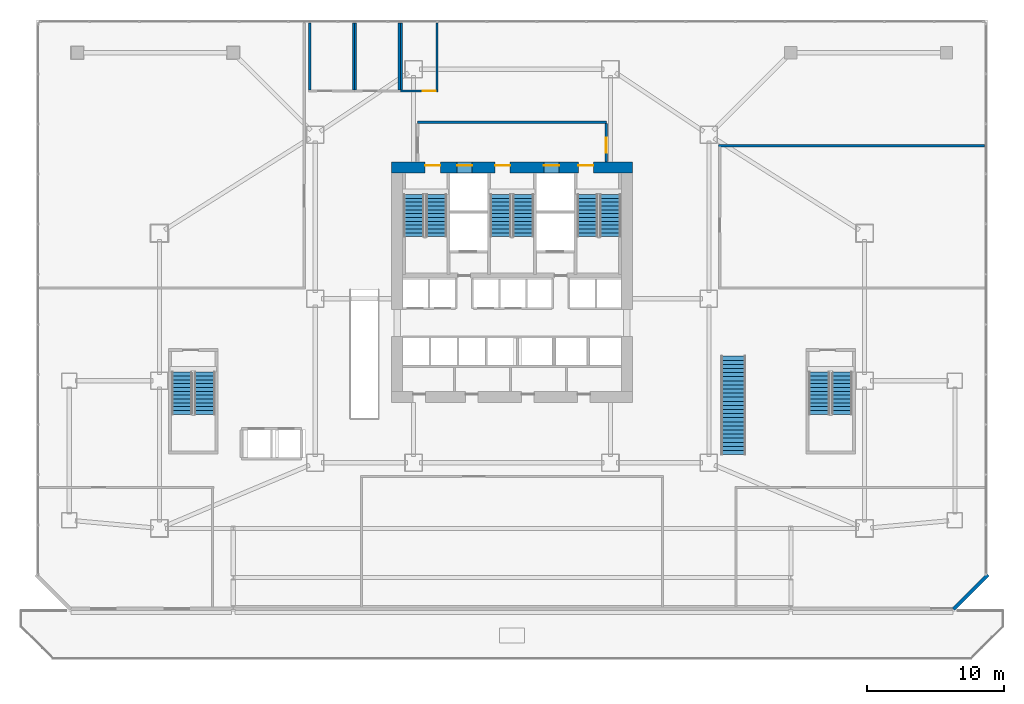
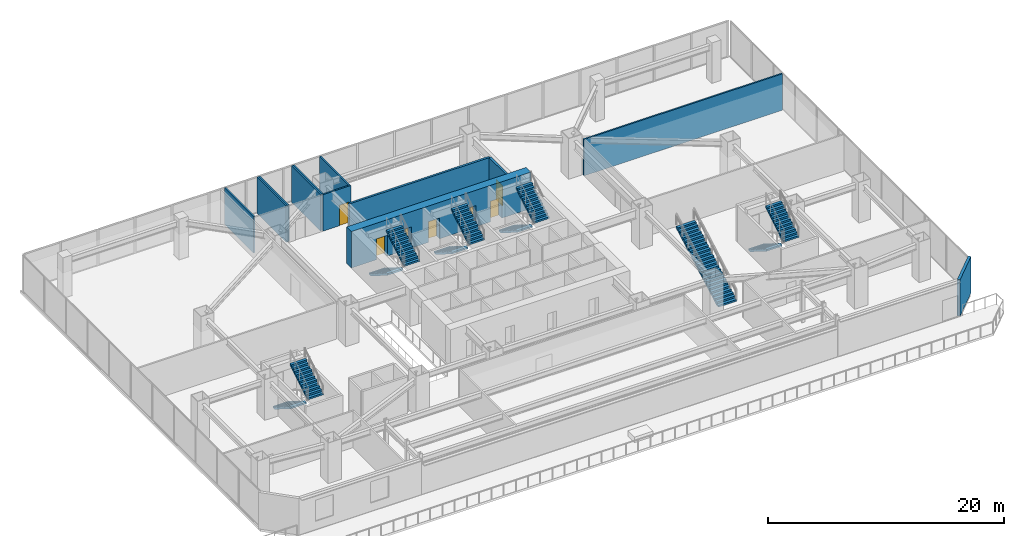
# One storey, part 25 of 32: 12 walls, 11 stair flights, 7 doors, 7 openings, 6 elements without a shape of their own.
"""IFC4 building model written with IfcOpenShell, lengths in metres."""

from ifc_helpers import new_model, si_unit, direction, frame, frame_2d, origin, place, context, subcontext, project, spatial, polyline, rectangle, outline, extrude, material, layer, layer_set, type_object, element, fill, aggregate, save


model = new_model("IFC4")

# Units and contexts
model_context = context("Model", 3, precision=1e-05, world=origin(), true_north=direction((0.0, 1.0)))
body_context = subcontext(model_context, "Body", "Model", "MODEL_VIEW")
ifc_project = project(units=[si_unit("LENGTHUNIT", "METRE"), si_unit("AREAUNIT", "SQUARE_METRE"), si_unit("VOLUMEUNIT", "CUBIC_METRE"), si_unit("PLANEANGLEUNIT", "RADIAN"), si_unit("MASSUNIT", "GRAM", prefix="KILO")], contexts=[model_context])

# Site, building, storey
site_placement = place(None, origin())
site = spatial("IfcSite", under=ifc_project, at=site_placement, CompositionType="ELEMENT")
building_placement = place(site_placement, origin())
building = spatial("IfcBuilding", under=site, at=building_placement, Name="Haolan Belvedere Tower", CompositionType="ELEMENT")
storey_placement = place(building_placement, frame((0.0, 0.0, 15.60009765625)))
storey = spatial("IfcBuildingStorey", under=building, at=storey_placement, Name="L03", CompositionType="ELEMENT", Elevation=15.60009765625)

# Wall, openings, doors
ifc_material_1 = material(Name="Concrete C70/85", Category="concrete")
ifc_layer_1 = layer(ifc_material_1, 0.800048828125, Name="Concrete C70/85")
ifc_layer_set_1 = layer_set([ifc_layer_1], Name="Concrete C70/85")
wall_type_1 = type_object("IfcWallType", Name="WL-CORE-800", PredefinedType="SHEAR", material=ifc_layer_set_1)
wall_1_placement = place(storey_placement, frame((29.60009765625, 43.199951171875, 0.0), z_axis=(0.0, 0.0, 1.0), x_axis=(1.0, 0.0, 0.0)))
wall_1 = element("IfcWall", 1, at=wall_1_placement, inside=storey, type_object=wall_type_1, Name="L03 central core north shear wall", PredefinedType="SHEAR", context=body_context, shape_type="SweptSolid", body=[
    extrude(rectangle(XDim=17.599853515625, YDim=0.800048828125, at=frame_2d((8.7998046875, 0.0))), origin(), (0.0, 0.0, 1.0), 3.77978515625),
])
opening_1_placement = place(wall_1_placement, frame((2.449951171875, 0.0, 0.0)))
opening_1 = element("IfcOpeningElement", 2, at=opening_1_placement, cuts=wall_1, Name="Opening FD-03", PredefinedType="OPENING", context=body_context, shape_type="SweptSolid", body=[
    extrude(rectangle(XDim=1.10009765625, YDim=2.14990234375, at=frame_2d((0.550048828125, 1.074951171875))), frame((0.0, 0.409912109375, 0.0), z_axis=(0.0, -1.0, 0.0), x_axis=(1.0, 0.0, 0.0)), (0.0, 0.0, 1.0), 0.820068359375),
])
opening_2_placement = place(wall_1_placement, frame((7.56005859375, 0.0, 0.0)))
opening_2 = element("IfcOpeningElement", 3, at=opening_2_placement, cuts=wall_1, Name="Opening FD-03", PredefinedType="OPENING", context=body_context, shape_type="SweptSolid", body=[
    extrude(rectangle(XDim=1.10009765625, YDim=2.14990234375, at=frame_2d((0.550048828125, 1.074951171875))), frame((0.0, 0.409912109375, 0.0), z_axis=(0.0, -1.0, 0.0), x_axis=(1.0, 0.0, 0.0)), (0.0, 0.0, 1.0), 0.820068359375),
])
opening_3_placement = place(wall_1_placement, frame((13.64990234375, 0.0, 0.0)))
opening_3 = element("IfcOpeningElement", 4, at=opening_3_placement, cuts=wall_1, Name="Opening FD-03", PredefinedType="OPENING", context=body_context, shape_type="SweptSolid", body=[
    extrude(rectangle(XDim=1.10009765625, YDim=2.14990234375, at=frame_2d((0.550048828125, 1.074951171875))), frame((0.0, 0.409912109375, 0.0), z_axis=(0.0, -1.0, 0.0), x_axis=(1.0, 0.0, 0.0)), (0.0, 0.0, 1.0), 0.820068359375),
])
opening_4_placement = place(wall_1_placement, frame((4.780029296875, 0.0, 0.0)))
opening_4 = element("IfcOpeningElement", 5, at=opening_4_placement, cuts=wall_1, Name="Opening LD-01", PredefinedType="OPENING", context=body_context, shape_type="SweptSolid", body=[
    extrude(rectangle(XDim=1.10009765625, YDim=2.199951171875, at=frame_2d((0.550048828125, 1.10009765625))), frame((0.0, 0.409912109375, 0.0), z_axis=(0.0, -1.0, 0.0), x_axis=(1.0, 0.0, 0.0)), (0.0, 0.0, 1.0), 0.820068359375),
])
opening_5_placement = place(wall_1_placement, frame((11.139892578125, 0.0, 0.0)))
opening_5 = element("IfcOpeningElement", 6, at=opening_5_placement, cuts=wall_1, Name="Opening LD-01", PredefinedType="OPENING", context=body_context, shape_type="SweptSolid", body=[
    extrude(rectangle(XDim=1.10009765625, YDim=2.199951171875, at=frame_2d((0.550048828125, 1.10009765625))), frame((0.0, 0.409912109375, 0.0), z_axis=(0.0, -1.0, 0.0), x_axis=(1.0, 0.0, 0.0)), (0.0, 0.0, 1.0), 0.820068359375),
])
ifc_material_2 = material(Name="Galvanised fire-rated steel", Category="steel")
door_type_1 = type_object("IfcDoorType", Name="DR-FD90-1100", OperationType="NOTDEFINED", PredefinedType="DOOR", material=ifc_material_2)
door_1_placement = place(opening_1_placement, origin())
door_1 = element("IfcDoor", 7, at=door_1_placement, inside=storey, type_object=door_type_1, Name="L03 door CD-L03-ST1", OperationType="SINGLE_SWING_LEFT", OverallHeight=2.14990234375, OverallWidth=1.10009765625, PredefinedType="DOOR", context=body_context, shape_type="SweptSolid", body=[
    extrude(rectangle(XDim=1.10009765625, YDim=2.14990234375, at=frame_2d((0.550048828125, 1.074951171875))), frame((0.0, 0.18505859375, 0.0), z_axis=(0.0, -1.0, 0.0), x_axis=(1.0, 0.0, 0.0)), (0.0, 0.0, 1.0), 0.050048828125),
])
fill(opening_1, door_1)
door_2_placement = place(opening_2_placement, origin())
door_2 = element("IfcDoor", 8, at=door_2_placement, inside=storey, type_object=door_type_1, Name="L03 door CD-L03-ST3", OperationType="SINGLE_SWING_LEFT", OverallHeight=2.14990234375, OverallWidth=1.10009765625, PredefinedType="DOOR", context=body_context, shape_type="SweptSolid", body=[
    extrude(rectangle(XDim=1.10009765625, YDim=2.14990234375, at=frame_2d((0.550048828125, 1.074951171875))), frame((0.0, 0.18505859375, 0.0), z_axis=(0.0, -1.0, 0.0), x_axis=(1.0, 0.0, 0.0)), (0.0, 0.0, 1.0), 0.050048828125),
])
fill(opening_2, door_2)
door_3_placement = place(opening_3_placement, origin())
door_3 = element("IfcDoor", 9, at=door_3_placement, inside=storey, type_object=door_type_1, Name="L03 door CD-L03-ST2", OperationType="SINGLE_SWING_RIGHT", OverallHeight=2.14990234375, OverallWidth=1.10009765625, PredefinedType="DOOR", context=body_context, shape_type="SweptSolid", body=[
    extrude(rectangle(XDim=1.10009765625, YDim=2.14990234375, at=frame_2d((0.550048828125, 1.074951171875))), frame((0.0, 0.18505859375, 0.0), z_axis=(0.0, -1.0, 0.0), x_axis=(1.0, 0.0, 0.0)), (0.0, 0.0, 1.0), 0.050048828125),
])
fill(opening_3, door_3)
ifc_material_3 = material(Name="Brushed champagne stainless steel 316L", Category="steel")
door_type_2 = type_object("IfcDoorType", Name="DR-LIFT-1100", OperationType="SLIDING_TO_LEFT", PredefinedType="DOOR", material=ifc_material_3)
door_4_placement = place(opening_4_placement, origin())
door_4 = element("IfcDoor", 10, at=door_4_placement, inside=storey, type_object=door_type_2, Name="L03 door LD-L03-FF1", OperationType="SLIDING_TO_LEFT", OverallHeight=2.199951171875, OverallWidth=1.10009765625, PredefinedType="DOOR", context=body_context, shape_type="SweptSolid", body=[
    extrude(rectangle(XDim=1.10009765625, YDim=2.199951171875, at=frame_2d((0.550048828125, 1.10009765625))), frame((0.0, 0.18505859375, 0.0), z_axis=(0.0, -1.0, 0.0), x_axis=(1.0, 0.0, 0.0)), (0.0, 0.0, 1.0), 0.050048828125),
])
fill(opening_4, door_4)
door_5_placement = place(opening_5_placement, origin())
door_5 = element("IfcDoor", 11, at=door_5_placement, inside=storey, type_object=door_type_2, Name="L03 door LD-L03-FF2", OperationType="SLIDING_TO_LEFT", OverallHeight=2.199951171875, OverallWidth=1.10009765625, PredefinedType="DOOR", context=body_context, shape_type="SweptSolid", body=[
    extrude(rectangle(XDim=1.10009765625, YDim=2.199951171875, at=frame_2d((0.550048828125, 1.10009765625))), frame((0.0, 0.18505859375, 0.0), z_axis=(0.0, -1.0, 0.0), x_axis=(1.0, 0.0, 0.0)), (0.0, 0.0, 1.0), 0.050048828125),
])
fill(opening_5, door_5)

# Walls
ifc_material_4 = material(Name="Precast concrete C40/50", Category="concrete")
ifc_layer_2 = layer(ifc_material_4, 0.260009765625, Name="Precast concrete C40/50")
ifc_layer_set_2 = layer_set([ifc_layer_2], Name="Precast concrete C40/50")
wall_type_2 = type_object("IfcWallType", Name="WL-EXT-260", PredefinedType="SOLIDWALL", material=ifc_layer_set_2)
wall_2_placement = place(storey_placement, frame((70.707275390625, 10.89111328125, 0.0), z_axis=(0.0, 0.0, 1.0), x_axis=(0.707106781187, 0.707106781187, 0.0)))
element("IfcWall", 12, at=wall_2_placement, inside=storey, type_object=wall_type_2, Name="L03 pale-metal exterior spandrel wall 1.1", PredefinedType="SOLIDWALL", context=body_context, shape_type="SweptSolid", body=[
    extrude(rectangle(XDim=3.566162109375, YDim=0.260009765625, at=frame_2d((1.783203125, 0.0))), origin(), (0.0, 0.0, 1.0), 3.77978515625),
])
ifc_material_5 = material(Name="Concrete C40/50", Category="concrete")
ifc_layer_3 = layer(ifc_material_5, 0.199951171875, Name="Concrete C40/50")
ifc_layer_set_3 = layer_set([ifc_layer_3], Name="Concrete C40/50")
wall_type_3 = type_object("IfcWallType", Name="WL-FIRE-200", PredefinedType="SOLIDWALL", material=ifc_layer_set_3)
wall_3_placement = place(storey_placement, frame((31.5, 46.52001953125, 0.0), z_axis=(0.0, 0.0, 1.0), x_axis=(1.0, 0.0, 0.0)))
element("IfcWall", 13, at=wall_3_placement, inside=storey, type_object=wall_type_3, Name="L03 interior partition IW-L03-FFL-N", PredefinedType="SOLIDWALL", context=body_context, shape_type="SweptSolid", body=[
    extrude(rectangle(XDim=13.800048828125, YDim=0.199951171875, at=frame_2d((6.89990234375, 0.0))), origin(), (0.0, 0.0, 1.0), 3.77978515625),
])

# Wall, opening, door
wall_4_placement = place(storey_placement, frame((45.300048828125, 43.60009765625, 0.0), z_axis=(0.0, 0.0, 1.0), x_axis=(0.0, 1.0, 0.0)))
wall_4 = element("IfcWall", 14, at=wall_4_placement, inside=storey, type_object=wall_type_3, Name="L03 interior partition IW-L03-FFL-E", PredefinedType="SOLIDWALL", context=body_context, shape_type="SweptSolid", body=[
    extrude(rectangle(XDim=2.8349609375, YDim=0.199951171875, at=frame_2d((1.41748046875, 0.0))), origin(), (0.0, 0.0, 1.0), 3.77978515625),
])
opening_6_placement = place(wall_4_placement, frame((0.699951171875, 0.0, 0.0)))
opening_6 = element("IfcOpeningElement", 15, at=opening_6_placement, cuts=wall_4, Name="Opening FD-03", PredefinedType="OPENING", context=body_context, shape_type="SweptSolid", body=[
    extrude(rectangle(XDim=1.10009765625, YDim=2.14990234375, at=frame_2d((0.550048828125, 1.074951171875))), frame((0.0, 0.10986328125, 0.0), z_axis=(0.0, -1.0, 0.0), x_axis=(1.0, 0.0, 0.0)), (0.0, 0.0, 1.0), 0.219970703125),
])
door_6_placement = place(opening_6_placement, origin())
door_6 = element("IfcDoor", 16, at=door_6_placement, inside=storey, type_object=door_type_1, Name="L03 door ID-L03-FFL-DE", OperationType="SINGLE_SWING_RIGHT", OverallHeight=2.14990234375, OverallWidth=1.10009765625, PredefinedType="DOOR", context=body_context, shape_type="SweptSolid", body=[
    extrude(rectangle(XDim=1.10009765625, YDim=2.14990234375, at=frame_2d((0.550048828125, 1.074951171875))), frame((0.0, 0.02490234375, 0.0), z_axis=(0.0, -1.0, 0.0), x_axis=(1.0, 0.0, 0.0)), (0.0, 0.0, 1.0), 0.050048828125),
])
fill(opening_6, door_6)

# Walls
ifc_material_6 = material(Name="Double gypsum acoustic stud partition", Category="masonry")
ifc_layer_4 = layer(ifc_material_6, 0.14990234375, Name="Double gypsum acoustic stud partition")
ifc_layer_set_4 = layer_set([ifc_layer_4], Name="Double gypsum acoustic stud partition")
wall_type_4 = type_object("IfcWallType", Name="WL-PART-150", PredefinedType="PARTITIONING", material=ifc_layer_set_4)
for number, where, z_axis, x_axis, name in (
    (17, (23.60009765625, 48.860107421875, 0.0), (0.0, 0.0, 1.0), (0.0, 1.0, 0.0), "L03 interior partition IW-L03-WCM-W"),
    (18, (26.800048828125, 48.860107421875, 0.0), (0.0, 0.0, 1.0), (0.0, 1.0, 0.0), "L03 interior partition IW-L03-WCM-E"),
    (19, (26.949951171875, 48.860107421875, 0.0), (0.0, 0.0, 1.0), (0.0, 1.0, 0.0), "L03 interior partition IW-L03-WCF-W"),
    (20, (30.14990234375, 48.860107421875, 0.0), (0.0, 0.0, 1.0), (0.0, 1.0, 0.0), "L03 interior partition IW-L03-WCF-E"),
):
    element("IfcWall", number, at=place(storey_placement, frame(where, z_axis=z_axis, x_axis=x_axis)), inside=storey, type_object=wall_type_4, Name=name, PredefinedType="PARTITIONING", context=body_context, shape_type="SweptSolid", body=[
        extrude(rectangle(XDim=4.927978515625, YDim=0.14990234375, at=frame_2d((2.4638671875, 0.0))), origin(), (0.0, 0.0, 1.0), 3.77978515625),
    ])

# Wall, opening, door
wall_5_placement = place(storey_placement, frame((30.23193359375, 48.800048828125, 0.0), z_axis=(0.0, 0.0, 1.0), x_axis=(1.0, 0.0, 0.0)))
wall_5 = element("IfcWall", 21, at=wall_5_placement, inside=storey, type_object=wall_type_4, Name="L03 interior partition IW-L03-WCA-S", PredefinedType="PARTITIONING", context=body_context, shape_type="SweptSolid", body=[
    extrude(rectangle(XDim=2.748046875, YDim=0.14990234375, at=frame_2d((1.3740234375, 0.0))), origin(), (0.0, 0.0, 1.0), 3.77978515625),
])
opening_7_placement = place(wall_5_placement, frame((1.637939453125, 0.0, 0.0)))
opening_7 = element("IfcOpeningElement", 22, at=opening_7_placement, cuts=wall_5, Name="Opening ID-03", PredefinedType="OPENING", context=body_context, shape_type="SweptSolid", body=[
    extrude(rectangle(XDim=0.949951171875, YDim=2.1201171875, at=frame_2d((0.47509765625, 1.06005859375))), frame((0.0, 0.0849609375, 0.0), z_axis=(0.0, -1.0, 0.0), x_axis=(1.0, 0.0, 0.0)), (0.0, 0.0, 1.0), 0.169921875),
])
ifc_material_7 = material(Name="Painted solid-core timber", Category="wood")
door_type_3 = type_object("IfcDoorType", Name="DR-INT-950", OperationType="NOTDEFINED", PredefinedType="DOOR", material=ifc_material_7)
door_7_placement = place(opening_7_placement, origin())
door_7 = element("IfcDoor", 23, at=door_7_placement, inside=storey, type_object=door_type_3, Name="L03 door ID-L03-WCA", OperationType="SINGLE_SWING_RIGHT", OverallHeight=2.1201171875, OverallWidth=0.949951171875, PredefinedType="DOOR", context=body_context, shape_type="SweptSolid", body=[
    extrude(rectangle(XDim=0.949951171875, YDim=2.1201171875, at=frame_2d((0.47509765625, 1.06005859375))), frame((0.0, 0.02490234375, 0.0), z_axis=(0.0, -1.0, 0.0), x_axis=(1.0, 0.0, 0.0)), (0.0, 0.0, 1.0), 0.050048828125),
])
fill(opening_7, door_7)

# Walls
for number, where, z_axis, x_axis, name in (
    (24, (30.300048828125, 48.860107421875, 0.0), (0.0, 0.0, 1.0), (0.0, 1.0, 0.0), "L03 interior partition IW-L03-WCA-W"),
    (25, (32.89990234375, 48.860107421875, 0.0), (0.0, 0.0, 1.0), (0.0, 1.0, 0.0), "L03 interior partition IW-L03-WCA-E"),
):
    element("IfcWall", number, at=place(storey_placement, frame(where, z_axis=z_axis, x_axis=x_axis)), inside=storey, type_object=wall_type_4, Name=name, PredefinedType="PARTITIONING", context=body_context, shape_type="SweptSolid", body=[
        extrude(rectangle(XDim=4.927978515625, YDim=0.14990234375, at=frame_2d((2.4638671875, 0.0))), origin(), (0.0, 0.0, 1.0), 3.77978515625),
    ])
wall_6_placement = place(storey_placement, frame((53.52001953125, 44.800048828125, 0.0), z_axis=(0.0, 0.0, 1.0), x_axis=(1.0, 0.0, 0.0)))
element("IfcWall", 26, at=wall_6_placement, inside=storey, type_object=wall_type_4, Name="L03 interior partition IW-L03-BRD1-N", PredefinedType="PARTITIONING", context=body_context, shape_type="SweptSolid", body=[
    extrude(rectangle(XDim=19.468017578125, YDim=0.14990234375, at=frame_2d((9.73388671875, 0.0))), origin(), (0.0, 0.0, 1.0), 3.77978515625),
])

# Stair, stair flights
stair_type_1 = type_object("IfcStairType", Name="STR-DL-24R-175", PredefinedType="HALF_TURN_STAIR", material=ifc_material_5)
stair_1_placement = place(storey_placement, origin())
stair_1 = element("IfcStair", 27, at=stair_1_placement, inside=storey, type_object=stair_type_1, Name="L03 Smokeproof Core Exit Stair ST1", PredefinedType="HALF_TURN_STAIR")
stair_flight_type_1 = type_object("IfcStairFlightType", Name="SFL-DL-12R-175", PredefinedType="STRAIGHT", material=ifc_material_5)
stair_flight_1_placement = place(storey_placement, frame((31.2099609375, 41.22998046875, 0.0), z_axis=(0.0, 0.0, 1.0), x_axis=(0.0, -1.0, 0.0)))
stair_flight_1 = element("IfcStairFlight", 28, at=stair_flight_1_placement, type_object=stair_flight_type_1, Name="ST1 flight 1", NumberOfRisers=12, NumberOfTreads=11, PredefinedType="STRAIGHT", RiserHeight=0.175, TreadLength=0.28, context=body_context, shape_type="SweptSolid", body=[
    extrude(outline(polyline([(0.0, 0.0), (0.0, 0.175048828125), (0.280029296875, 0.175048828125), (0.280029296875, 0.35009765625), (0.56005859375, 0.35009765625), (0.56005859375, 0.52490234375), (0.840087890625, 0.52490234375), (0.840087890625, 0.699951171875), (1.1201171875, 0.699951171875), (1.1201171875, 0.875), (1.39990234375, 0.875), (1.39990234375, 1.050048828125), (1.679931640625, 1.050048828125), (1.679931640625, 1.22509765625), (1.9599609375, 1.22509765625), (1.9599609375, 1.39990234375), (2.239990234375, 1.39990234375), (2.239990234375, 1.574951171875), (2.52001953125, 1.574951171875), (2.52001953125, 1.75), (2.800048828125, 1.75), (2.800048828125, 1.925048828125), (3.080078125, 1.925048828125), (3.080078125, 2.10009765625), (3.080078125, 1.748291015625), (0.28271484375, 0.0), (0.0, 0.0)])), frame((0.0, 0.760009765625, 0.0), z_axis=(0.0, -1.0, 0.0), x_axis=(1.0, 0.0, 0.0)), (0.0, 0.0, 1.0), 1.52001953125),
])
stair_flight_2_placement = place(storey_placement, frame((32.8701171875, 38.14990234375, 2.099853515625), z_axis=(0.0, 0.0, 1.0), x_axis=(0.0, 1.0, 0.0)))
stair_flight_2 = element("IfcStairFlight", 29, at=stair_flight_2_placement, type_object=stair_flight_type_1, Name="ST1 flight 2", NumberOfRisers=12, NumberOfTreads=11, PredefinedType="STRAIGHT", RiserHeight=0.175, TreadLength=0.28, context=body_context, shape_type="SweptSolid", body=[
    extrude(outline(polyline([(0.0, 0.0), (0.0, 0.175048828125), (0.280029296875, 0.175048828125), (0.280029296875, 0.35009765625), (0.56005859375, 0.35009765625), (0.56005859375, 0.52490234375), (0.840087890625, 0.52490234375), (0.840087890625, 0.699951171875), (1.1201171875, 0.699951171875), (1.1201171875, 0.875), (1.39990234375, 0.875), (1.39990234375, 1.050048828125), (1.679931640625, 1.050048828125), (1.679931640625, 1.22509765625), (1.9599609375, 1.22509765625), (1.9599609375, 1.39990234375), (2.239990234375, 1.39990234375), (2.239990234375, 1.574951171875), (2.52001953125, 1.574951171875), (2.52001953125, 1.75), (2.800048828125, 1.75), (2.800048828125, 1.925048828125), (3.080078125, 1.925048828125), (3.080078125, 2.10009765625), (3.080078125, 1.748291015625), (0.28271484375, 0.0), (0.0, 0.0)])), frame((0.0, 0.760009765625, 0.0), z_axis=(0.0, -1.0, 0.0), x_axis=(1.0, 0.0, 0.0)), (0.0, 0.0, 1.0), 1.52001953125),
])
aggregate(stair_1, [stair_flight_1, stair_flight_2])

stair_2_placement = place(storey_placement, origin())
stair_2 = element("IfcStair", 30, at=stair_2_placement, inside=storey, type_object=stair_type_1, Name="L03 Smokeproof Core Exit Stair ST3", PredefinedType="HALF_TURN_STAIR")
stair_flight_3_placement = place(storey_placement, frame((37.570068359375, 41.22998046875, 0.0), z_axis=(0.0, 0.0, 1.0), x_axis=(0.0, -1.0, 0.0)))
stair_flight_3 = element("IfcStairFlight", 31, at=stair_flight_3_placement, type_object=stair_flight_type_1, Name="ST3 flight 1", NumberOfRisers=12, NumberOfTreads=11, PredefinedType="STRAIGHT", RiserHeight=0.175, TreadLength=0.28, context=body_context, shape_type="SweptSolid", body=[
    extrude(outline(polyline([(0.0, 0.0), (0.0, 0.175048828125), (0.280029296875, 0.175048828125), (0.280029296875, 0.35009765625), (0.56005859375, 0.35009765625), (0.56005859375, 0.52490234375), (0.840087890625, 0.52490234375), (0.840087890625, 0.699951171875), (1.1201171875, 0.699951171875), (1.1201171875, 0.875), (1.39990234375, 0.875), (1.39990234375, 1.050048828125), (1.679931640625, 1.050048828125), (1.679931640625, 1.22509765625), (1.9599609375, 1.22509765625), (1.9599609375, 1.39990234375), (2.239990234375, 1.39990234375), (2.239990234375, 1.574951171875), (2.52001953125, 1.574951171875), (2.52001953125, 1.75), (2.800048828125, 1.75), (2.800048828125, 1.925048828125), (3.080078125, 1.925048828125), (3.080078125, 2.10009765625), (3.080078125, 1.748291015625), (0.28271484375, 0.0), (0.0, 0.0)])), frame((0.0, 0.760009765625, 0.0), z_axis=(0.0, -1.0, 0.0), x_axis=(1.0, 0.0, 0.0)), (0.0, 0.0, 1.0), 1.52001953125),
])
stair_flight_4_placement = place(storey_placement, frame((39.22998046875, 38.14990234375, 2.099853515625), z_axis=(0.0, 0.0, 1.0), x_axis=(0.0, 1.0, 0.0)))
stair_flight_4 = element("IfcStairFlight", 32, at=stair_flight_4_placement, type_object=stair_flight_type_1, Name="ST3 flight 2", NumberOfRisers=12, NumberOfTreads=11, PredefinedType="STRAIGHT", RiserHeight=0.175, TreadLength=0.28, context=body_context, shape_type="SweptSolid", body=[
    extrude(outline(polyline([(0.0, 0.0), (0.0, 0.175048828125), (0.280029296875, 0.175048828125), (0.280029296875, 0.35009765625), (0.56005859375, 0.35009765625), (0.56005859375, 0.52490234375), (0.840087890625, 0.52490234375), (0.840087890625, 0.699951171875), (1.1201171875, 0.699951171875), (1.1201171875, 0.875), (1.39990234375, 0.875), (1.39990234375, 1.050048828125), (1.679931640625, 1.050048828125), (1.679931640625, 1.22509765625), (1.9599609375, 1.22509765625), (1.9599609375, 1.39990234375), (2.239990234375, 1.39990234375), (2.239990234375, 1.574951171875), (2.52001953125, 1.574951171875), (2.52001953125, 1.75), (2.800048828125, 1.75), (2.800048828125, 1.925048828125), (3.080078125, 1.925048828125), (3.080078125, 2.10009765625), (3.080078125, 1.748291015625), (0.28271484375, 0.0), (0.0, 0.0)])), frame((0.0, 0.760009765625, 0.0), z_axis=(0.0, -1.0, 0.0), x_axis=(1.0, 0.0, 0.0)), (0.0, 0.0, 1.0), 1.52001953125),
])
aggregate(stair_2, [stair_flight_3, stair_flight_4])

stair_3_placement = place(storey_placement, origin())
stair_3 = element("IfcStair", 33, at=stair_3_placement, inside=storey, type_object=stair_type_1, Name="L03 Smokeproof Core Exit Stair ST2", PredefinedType="HALF_TURN_STAIR")
stair_flight_5_placement = place(storey_placement, frame((43.929931640625, 41.22998046875, 0.0), z_axis=(0.0, 0.0, 1.0), x_axis=(0.0, -1.0, 0.0)))
stair_flight_5 = element("IfcStairFlight", 34, at=stair_flight_5_placement, type_object=stair_flight_type_1, Name="ST2 flight 1", NumberOfRisers=12, NumberOfTreads=11, PredefinedType="STRAIGHT", RiserHeight=0.175, TreadLength=0.28, context=body_context, shape_type="SweptSolid", body=[
    extrude(outline(polyline([(0.0, 0.0), (0.0, 0.175048828125), (0.280029296875, 0.175048828125), (0.280029296875, 0.35009765625), (0.56005859375, 0.35009765625), (0.56005859375, 0.52490234375), (0.840087890625, 0.52490234375), (0.840087890625, 0.699951171875), (1.1201171875, 0.699951171875), (1.1201171875, 0.875), (1.39990234375, 0.875), (1.39990234375, 1.050048828125), (1.679931640625, 1.050048828125), (1.679931640625, 1.22509765625), (1.9599609375, 1.22509765625), (1.9599609375, 1.39990234375), (2.239990234375, 1.39990234375), (2.239990234375, 1.574951171875), (2.52001953125, 1.574951171875), (2.52001953125, 1.75), (2.800048828125, 1.75), (2.800048828125, 1.925048828125), (3.080078125, 1.925048828125), (3.080078125, 2.10009765625), (3.080078125, 1.748291015625), (0.28271484375, 0.0), (0.0, 0.0)])), frame((0.0, 0.760009765625, 0.0), z_axis=(0.0, -1.0, 0.0), x_axis=(1.0, 0.0, 0.0)), (0.0, 0.0, 1.0), 1.52001953125),
])
stair_flight_6_placement = place(storey_placement, frame((45.590087890625, 38.14990234375, 2.099853515625), z_axis=(0.0, 0.0, 1.0), x_axis=(0.0, 1.0, 0.0)))
stair_flight_6 = element("IfcStairFlight", 35, at=stair_flight_6_placement, type_object=stair_flight_type_1, Name="ST2 flight 2", NumberOfRisers=12, NumberOfTreads=11, PredefinedType="STRAIGHT", RiserHeight=0.175, TreadLength=0.28, context=body_context, shape_type="SweptSolid", body=[
    extrude(outline(polyline([(0.0, 0.0), (0.0, 0.175048828125), (0.280029296875, 0.175048828125), (0.280029296875, 0.35009765625), (0.56005859375, 0.35009765625), (0.56005859375, 0.52490234375), (0.840087890625, 0.52490234375), (0.840087890625, 0.699951171875), (1.1201171875, 0.699951171875), (1.1201171875, 0.875), (1.39990234375, 0.875), (1.39990234375, 1.050048828125), (1.679931640625, 1.050048828125), (1.679931640625, 1.22509765625), (1.9599609375, 1.22509765625), (1.9599609375, 1.39990234375), (2.239990234375, 1.39990234375), (2.239990234375, 1.574951171875), (2.52001953125, 1.574951171875), (2.52001953125, 1.75), (2.800048828125, 1.75), (2.800048828125, 1.925048828125), (3.080078125, 1.925048828125), (3.080078125, 2.10009765625), (3.080078125, 1.748291015625), (0.28271484375, 0.0), (0.0, 0.0)])), frame((0.0, 0.760009765625, 0.0), z_axis=(0.0, -1.0, 0.0), x_axis=(1.0, 0.0, 0.0)), (0.0, 0.0, 1.0), 1.52001953125),
])
aggregate(stair_3, [stair_flight_5, stair_flight_6])

stair_4_placement = place(storey_placement, origin())
stair_4 = element("IfcStair", 36, at=stair_4_placement, inside=storey, type_object=stair_type_1, Name="L03 West Podium Protected Exit Stair ST4", PredefinedType="HALF_TURN_STAIR")
stair_flight_7_placement = place(storey_placement, frame((14.260009765625, 28.22998046875, 0.0), z_axis=(0.0, 0.0, 1.0), x_axis=(0.0, -1.0, 0.0)))
stair_flight_7 = element("IfcStairFlight", 37, at=stair_flight_7_placement, type_object=stair_flight_type_1, Name="ST4 flight 1", NumberOfRisers=12, NumberOfTreads=11, PredefinedType="STRAIGHT", RiserHeight=0.175, TreadLength=0.28, context=body_context, shape_type="SweptSolid", body=[
    extrude(outline(polyline([(0.0, 0.0), (0.0, 0.175048828125), (0.280029296875, 0.175048828125), (0.280029296875, 0.35009765625), (0.56005859375, 0.35009765625), (0.56005859375, 0.52490234375), (0.840087890625, 0.52490234375), (0.840087890625, 0.699951171875), (1.1201171875, 0.699951171875), (1.1201171875, 0.875), (1.39990234375, 0.875), (1.39990234375, 1.050048828125), (1.679931640625, 1.050048828125), (1.679931640625, 1.22509765625), (1.9599609375, 1.22509765625), (1.9599609375, 1.39990234375), (2.239990234375, 1.39990234375), (2.239990234375, 1.574951171875), (2.52001953125, 1.574951171875), (2.52001953125, 1.75), (2.800048828125, 1.75), (2.800048828125, 1.925048828125), (3.080078125, 1.925048828125), (3.080078125, 2.10009765625), (3.080078125, 1.748291015625), (0.28271484375, 0.0), (0.0, 0.0)])), frame((0.0, 0.760009765625, 0.0), z_axis=(0.0, -1.0, 0.0), x_axis=(1.0, 0.0, 0.0)), (0.0, 0.0, 1.0), 1.52001953125),
])
stair_flight_8_placement = place(storey_placement, frame((15.919921875, 25.14990234375, 2.099853515625), z_axis=(0.0, 0.0, 1.0), x_axis=(0.0, 1.0, 0.0)))
stair_flight_8 = element("IfcStairFlight", 38, at=stair_flight_8_placement, type_object=stair_flight_type_1, Name="ST4 flight 2", NumberOfRisers=12, NumberOfTreads=11, PredefinedType="STRAIGHT", RiserHeight=0.175, TreadLength=0.28, context=body_context, shape_type="SweptSolid", body=[
    extrude(outline(polyline([(0.0, 0.0), (0.0, 0.175048828125), (0.280029296875, 0.175048828125), (0.280029296875, 0.35009765625), (0.56005859375, 0.35009765625), (0.56005859375, 0.52490234375), (0.840087890625, 0.52490234375), (0.840087890625, 0.699951171875), (1.1201171875, 0.699951171875), (1.1201171875, 0.875), (1.39990234375, 0.875), (1.39990234375, 1.050048828125), (1.679931640625, 1.050048828125), (1.679931640625, 1.22509765625), (1.9599609375, 1.22509765625), (1.9599609375, 1.39990234375), (2.239990234375, 1.39990234375), (2.239990234375, 1.574951171875), (2.52001953125, 1.574951171875), (2.52001953125, 1.75), (2.800048828125, 1.75), (2.800048828125, 1.925048828125), (3.080078125, 1.925048828125), (3.080078125, 2.10009765625), (3.080078125, 1.748291015625), (0.28271484375, 0.0), (0.0, 0.0)])), frame((0.0, 0.760009765625, 0.0), z_axis=(0.0, -1.0, 0.0), x_axis=(1.0, 0.0, 0.0)), (0.0, 0.0, 1.0), 1.52001953125),
])
aggregate(stair_4, [stair_flight_7, stair_flight_8])

stair_5_placement = place(storey_placement, origin())
stair_5 = element("IfcStair", 39, at=stair_5_placement, inside=storey, type_object=stair_type_1, Name="L03 East Podium Protected Exit Stair ST5", PredefinedType="HALF_TURN_STAIR")
stair_flight_9_placement = place(storey_placement, frame((60.8798828125, 28.22998046875, 0.0), z_axis=(0.0, 0.0, 1.0), x_axis=(0.0, -1.0, 0.0)))
stair_flight_9 = element("IfcStairFlight", 40, at=stair_flight_9_placement, type_object=stair_flight_type_1, Name="ST5 flight 1", NumberOfRisers=12, NumberOfTreads=11, PredefinedType="STRAIGHT", RiserHeight=0.175, TreadLength=0.28, context=body_context, shape_type="SweptSolid", body=[
    extrude(outline(polyline([(0.0, 0.0), (0.0, 0.175048828125), (0.280029296875, 0.175048828125), (0.280029296875, 0.35009765625), (0.56005859375, 0.35009765625), (0.56005859375, 0.52490234375), (0.840087890625, 0.52490234375), (0.840087890625, 0.699951171875), (1.1201171875, 0.699951171875), (1.1201171875, 0.875), (1.39990234375, 0.875), (1.39990234375, 1.050048828125), (1.679931640625, 1.050048828125), (1.679931640625, 1.22509765625), (1.9599609375, 1.22509765625), (1.9599609375, 1.39990234375), (2.239990234375, 1.39990234375), (2.239990234375, 1.574951171875), (2.52001953125, 1.574951171875), (2.52001953125, 1.75), (2.800048828125, 1.75), (2.800048828125, 1.925048828125), (3.080078125, 1.925048828125), (3.080078125, 2.10009765625), (3.080078125, 1.748291015625), (0.28271484375, 0.0), (0.0, 0.0)])), frame((0.0, 0.760009765625, 0.0), z_axis=(0.0, -1.0, 0.0), x_axis=(1.0, 0.0, 0.0)), (0.0, 0.0, 1.0), 1.52001953125),
])
stair_flight_10_placement = place(storey_placement, frame((62.5400390625, 25.14990234375, 2.099853515625), z_axis=(0.0, 0.0, 1.0), x_axis=(0.0, 1.0, 0.0)))
stair_flight_10 = element("IfcStairFlight", 41, at=stair_flight_10_placement, type_object=stair_flight_type_1, Name="ST5 flight 2", NumberOfRisers=12, NumberOfTreads=11, PredefinedType="STRAIGHT", RiserHeight=0.175, TreadLength=0.28, context=body_context, shape_type="SweptSolid", body=[
    extrude(outline(polyline([(0.0, 0.0), (0.0, 0.175048828125), (0.280029296875, 0.175048828125), (0.280029296875, 0.35009765625), (0.56005859375, 0.35009765625), (0.56005859375, 0.52490234375), (0.840087890625, 0.52490234375), (0.840087890625, 0.699951171875), (1.1201171875, 0.699951171875), (1.1201171875, 0.875), (1.39990234375, 0.875), (1.39990234375, 1.050048828125), (1.679931640625, 1.050048828125), (1.679931640625, 1.22509765625), (1.9599609375, 1.22509765625), (1.9599609375, 1.39990234375), (2.239990234375, 1.39990234375), (2.239990234375, 1.574951171875), (2.52001953125, 1.574951171875), (2.52001953125, 1.75), (2.800048828125, 1.75), (2.800048828125, 1.925048828125), (3.080078125, 1.925048828125), (3.080078125, 2.10009765625), (3.080078125, 1.748291015625), (0.28271484375, 0.0), (0.0, 0.0)])), frame((0.0, 0.760009765625, 0.0), z_axis=(0.0, -1.0, 0.0), x_axis=(1.0, 0.0, 0.0)), (0.0, 0.0, 1.0), 1.52001953125),
])
aggregate(stair_5, [stair_flight_9, stair_flight_10])

# Stair, stair flight
stair_type_2 = type_object("IfcStairType", Name="STR-STR-ST9", PredefinedType="STRAIGHT_RUN_STAIR", material=ifc_material_4)
stair_6_placement = place(storey_placement, origin())
stair_6 = element("IfcStair", 42, at=stair_6_placement, inside=storey, type_object=stair_type_2, Name="L03 feature straight stair ST9", PredefinedType="STRAIGHT_RUN_STAIR")
stair_flight_type_2 = type_object("IfcStairFlightType", Name="SFL-STR-ST9", PredefinedType="STRAIGHT", material=ifc_material_4)
stair_flight_11_placement = place(storey_placement, frame((54.60009765625, 22.199951171875, 0.0), z_axis=(0.0, 0.0, 1.0), x_axis=(0.0, 1.0, 0.0)))
stair_flight_11 = element("IfcStairFlight", 43, at=stair_flight_11_placement, type_object=stair_flight_type_2, Name="ST9 flight 1", NumberOfRisers=25, NumberOfTreads=24, PredefinedType="STRAIGHT", RiserHeight=0.168, TreadLength=0.3, context=body_context, shape_type="SweptSolid", body=[
    extrude(outline(polyline([(0.0, 0.0), (0.0, 0.16796875), (0.300048828125, 0.16796875), (0.300048828125, 0.3359375), (0.60009765625, 0.3359375), (0.60009765625, 0.50390625), (0.89990234375, 0.50390625), (0.89990234375, 0.672119140625), (1.199951171875, 0.672119140625), (1.199951171875, 0.840087890625), (1.5, 0.840087890625), (1.5, 1.008056640625), (1.800048828125, 1.008056640625), (1.800048828125, 1.176025390625), (2.10009765625, 1.176025390625), (2.10009765625, 1.343994140625), (2.39990234375, 1.343994140625), (2.39990234375, 1.511962890625), (2.699951171875, 1.511962890625), (2.699951171875, 1.679931640625), (3.0, 1.679931640625), (3.0, 1.847900390625), (3.300048828125, 1.847900390625), (3.300048828125, 2.01611328125), (3.60009765625, 2.01611328125), (3.60009765625, 2.18408203125), (3.89990234375, 2.18408203125), (3.89990234375, 2.35205078125), (4.199951171875, 2.35205078125), (4.199951171875, 2.52001953125), (4.5, 2.52001953125), (4.5, 2.68798828125), (4.800048828125, 2.68798828125), (4.800048828125, 2.85595703125), (5.10009765625, 2.85595703125), (5.10009765625, 3.02392578125), (5.39990234375, 3.02392578125), (5.39990234375, 3.19189453125), (5.699951171875, 3.19189453125), (5.699951171875, 3.360107421875), (6.0, 3.360107421875), (6.0, 3.528076171875), (6.300048828125, 3.528076171875), (6.300048828125, 3.696044921875), (6.60009765625, 3.696044921875), (6.60009765625, 3.864013671875), (6.89990234375, 3.864013671875), (6.89990234375, 4.031982421875), (7.199951171875, 4.031982421875), (7.199951171875, 4.199951171875), (7.199951171875, 3.82568359375), (0.3681640625, 0.0), (0.0, 0.0)])), frame((0.0, 0.89990234375, 0.0), z_axis=(0.0, -1.0, 0.0), x_axis=(1.0, 0.0, 0.0)), (0.0, 0.0, 1.0), 1.800048828125),
])
aggregate(stair_6, [stair_flight_11])

save(model, "model.ifc")
